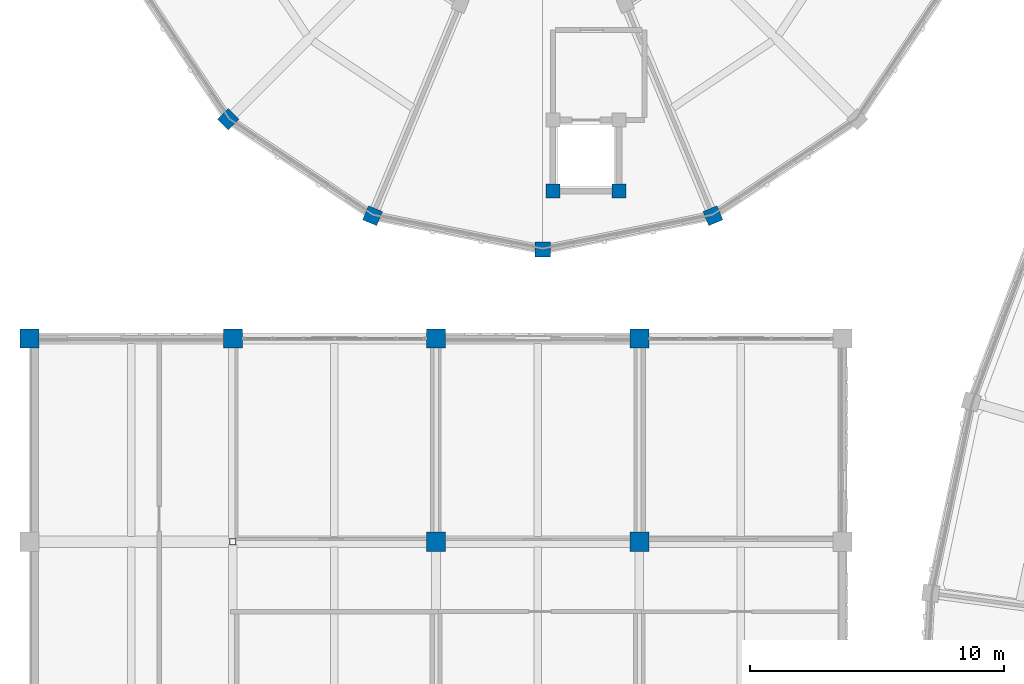
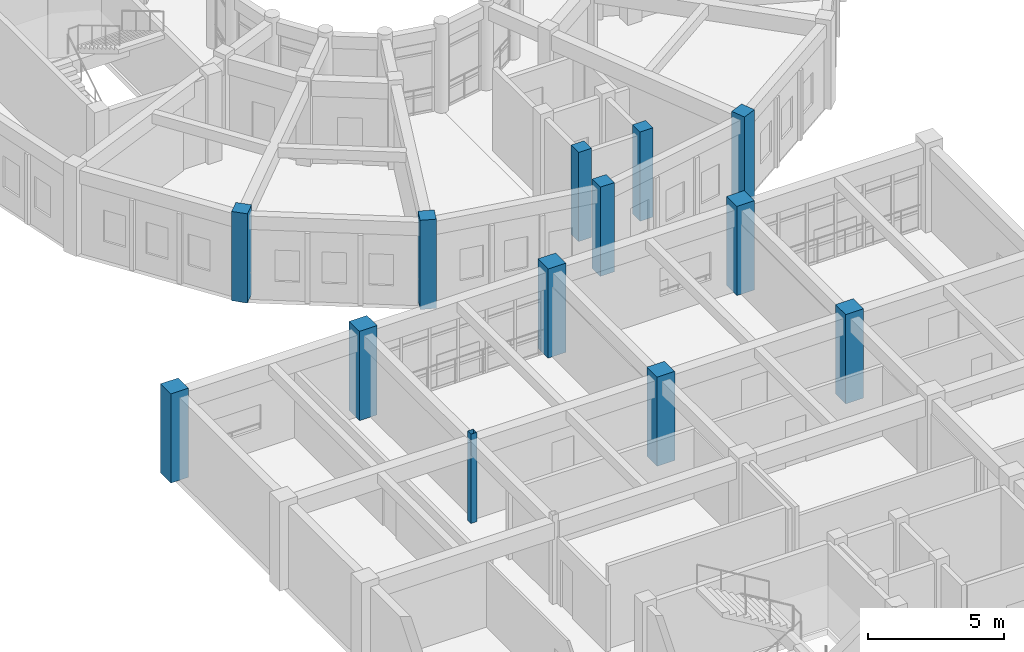
# One storey, part 5 of 159: 13 columns.
"""IFC4 building model written with IfcOpenShell, lengths in metres."""

from ifc_helpers import new_model, si_unit, direction, frame, origin, origin_2d, place, context, subcontext, project, spatial, rectangle, hollow_rectangle, extrude, material, material_profile, profile_set, type_object, element, save


model = new_model("IFC4")

# Units and contexts
model_context = context("Model", 3, precision=1e-05, world=origin(), true_north=direction((0.0, 1.0)))
body_context = subcontext(model_context, "Body", "Model", "MODEL_VIEW")
ifc_project = project(units=[si_unit("LENGTHUNIT", "METRE"), si_unit("AREAUNIT", "SQUARE_METRE"), si_unit("VOLUMEUNIT", "CUBIC_METRE"), si_unit("PLANEANGLEUNIT", "RADIAN"), si_unit("MASSUNIT", "GRAM", prefix="KILO")], contexts=[model_context])

# Site, building, storey
site_placement = place(None, origin())
site = spatial("IfcSite", under=ifc_project, at=site_placement, CompositionType="ELEMENT")
building_placement = place(site_placement, origin())
building = spatial("IfcBuilding", under=site, at=building_placement, Name="Celadon Cloister-Ring School", CompositionType="ELEMENT")
storey_placement = place(building_placement, frame((0.0, 0.0, 4.5)))
storey = spatial("IfcBuildingStorey", under=building, at=storey_placement, Name="L01", CompositionType="ELEMENT", Elevation=4.5)

# Columns
ifc_material_1 = material(Name="Concrete C40/50", Category="concrete")
ifc_material_profile_1 = material_profile(ifc_material_1, rectangle(XDim=0.75, YDim=0.75, at=origin_2d()), Name="RC750X750")
ifc_profile_set_1 = profile_set([ifc_material_profile_1], Name="Concrete C40/50")
column_type_1 = type_object("IfcColumnType", Name="CT-01", PredefinedType="COLUMN", material=ifc_profile_set_1)
for number, where, z_axis, x_axis, name in (
    (1, (0.0, 76.0, 0.0), (0.0, 0.0, 1.0), (1.0, 0.0, 0.0), "Column 1089"),
    (2, (16.0, 68.0, 0.0), (0.0, 0.0, 1.0), (1.0, 0.0, 0.0), "Column 1105"),
    (3, (16.0, 76.0, 0.0), (0.0, 0.0, 1.0), (1.0, 0.0, 0.0), "Column 1111"),
    (4, (24.0, 68.0, 0.0), (0.0, 0.0, 1.0), (1.0, 0.0, 0.0), "Column 1139"),
    (5, (24.0, 76.0, 0.0), (0.0, 0.0, 1.0), (1.0, 0.0, 0.0), "Column 1145"),
    (6, (8.0, 76.0, 0.0), (0.0, 0.0, 1.0), (1.0, 0.0, 0.0), "Column 1196"),
):
    element("IfcColumn", number, at=place(storey_placement, frame(where, z_axis=z_axis, x_axis=x_axis)), inside=storey, type_object=column_type_1, Name=name, PredefinedType="COLUMN", context=body_context, shape_type="SweptSolid", body=[
        extrude(rectangle(XDim=0.75, YDim=0.75, at=origin_2d()), origin(), (0.0, 0.0, 1.0), 4.0),
    ])
ifc_material_2 = material(Name="Concrete C40/50", Category="concrete")
ifc_material_profile_2 = material_profile(ifc_material_2, rectangle(XDim=0.550048828125, YDim=0.550048828125, at=origin_2d()), Name="RC550X550")
ifc_profile_set_2 = profile_set([ifc_material_profile_2], Name="Concrete C40/50")
column_type_2 = type_object("IfcColumnType", Name="CT-05", PredefinedType="COLUMN", material=ifc_profile_set_2)
for number, where, z_axis, x_axis, name in (
    (7, (20.60009765625, 81.800048828125, 0.0), (0.0, 0.0, 1.0), (1.0, 0.0, 0.0), "Column 0277"),
    (8, (23.199951171875, 81.800048828125, 0.0), (0.0, 0.0, 1.0), (1.0, 0.0, 0.0), "Column 0281"),
):
    element("IfcColumn", number, at=place(storey_placement, frame(where, z_axis=z_axis, x_axis=x_axis)), inside=storey, type_object=column_type_2, Name=name, PredefinedType="COLUMN", context=body_context, shape_type="SweptSolid", body=[
        extrude(rectangle(XDim=0.550048828125, YDim=0.550048828125, at=origin_2d()), origin(), (0.0, 0.0, 1.0), 4.0),
    ])
ifc_material_3 = material(Name="Structural steel S355JR", Category="steel")
ifc_material_profile_3 = material_profile(ifc_material_3, hollow_rectangle(XDim=0.25, YDim=0.25, WallThickness=0.010009765625, at=origin_2d()), Name="HSS250X250X10")
ifc_profile_set_3 = profile_set([ifc_material_profile_3], Name="Structural steel S355JR")
column_type_3 = type_object("IfcColumnType", Name="CT-08", PredefinedType="COLUMN", material=ifc_profile_set_3)
column_placement = place(storey_placement, frame((8.0, 68.0, 0.0), z_axis=(0.0, 0.0, 1.0), x_axis=(1.0, 0.0, 0.0)))
element("IfcColumn", 9, at=column_placement, inside=storey, type_object=column_type_3, Name="Column 1190", PredefinedType="COLUMN", context=body_context, shape_type="SweptSolid", body=[
    extrude(hollow_rectangle(XDim=0.25, YDim=0.25, WallThickness=0.010009765625, at=origin_2d()), origin(), (0.0, 0.0, 1.0), 4.0),
])
ifc_material_4 = material(Name="Concrete C40/50", Category="concrete")
ifc_material_profile_4 = material_profile(ifc_material_4, rectangle(XDim=0.60009765625, YDim=0.60009765625, at=origin_2d()), Name="RC600X600")
ifc_profile_set_4 = profile_set([ifc_material_profile_4], Name="Concrete C40/50")
column_type_4 = type_object("IfcColumnType", Name="CT-23", PredefinedType="COLUMN", material=ifc_profile_set_4)
for number, where, z_axis, x_axis, name in (
    (10, (7.825927734375, 84.6259765625, 0.0), (0.0, 0.0, 1.0), (-0.707106781187, -0.707106781187, 0.0), "Column 0884"),
    (11, (13.5029296875, 80.83203125, 0.0), (0.0, 0.0, 1.0), (-0.382683432365, -0.923879532511, 0.0), "Column 0888"),
    (12, (20.199951171875, 79.5, 0.0), (0.0, 0.0, 1.0), (0.0, -1.0, 0.0), "Column 0892"),
    (13, (26.89697265625, 80.83203125, 0.0), (0.0, 0.0, 1.0), (0.382683432365, -0.923879532511, 0.0), "Column 0896"),
):
    element("IfcColumn", number, at=place(storey_placement, frame(where, z_axis=z_axis, x_axis=x_axis)), inside=storey, type_object=column_type_4, Name=name, PredefinedType="COLUMN", context=body_context, shape_type="SweptSolid", body=[
        extrude(rectangle(XDim=0.60009765625, YDim=0.60009765625, at=origin_2d()), origin(), (0.0, 0.0, 1.0), 4.0),
    ])

save(model, "model.ifc")
